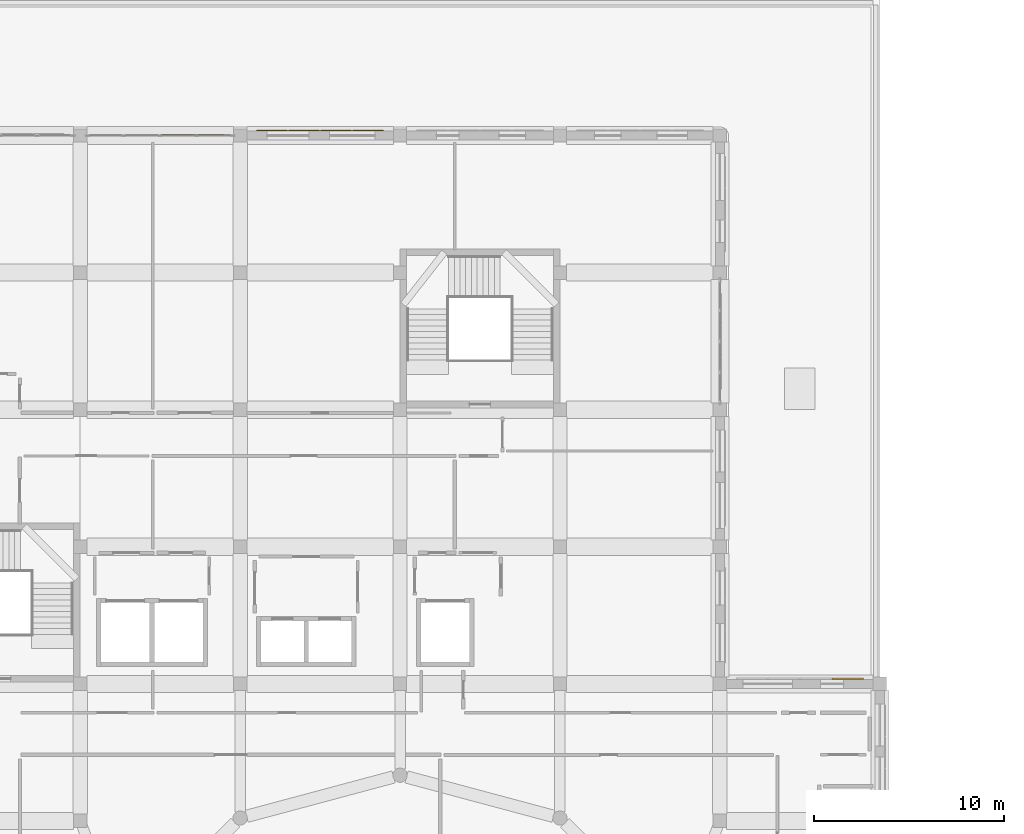
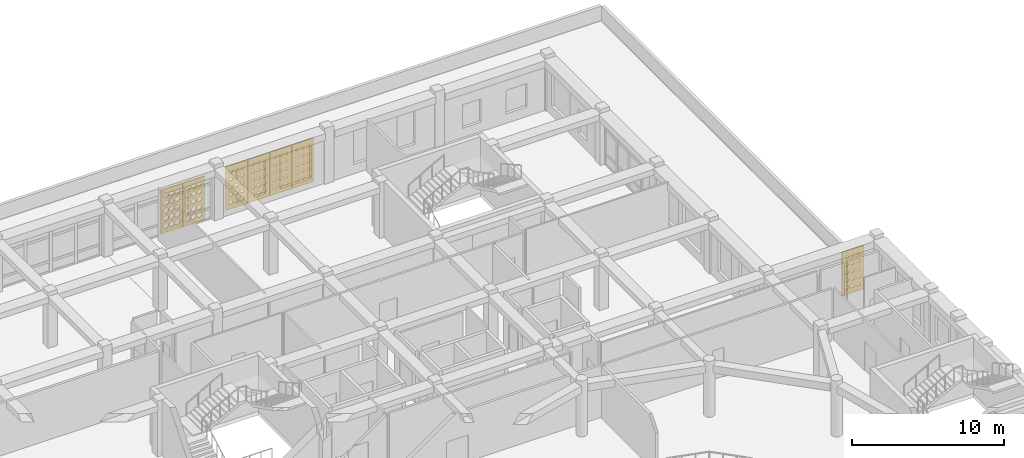
# One storey, part 95 of 100: 7 coverings.
"""IFC4 building model written with IfcOpenShell, lengths in metres."""

from ifc_helpers import new_model, si_unit, derived_unit, direction, frame, origin, place, context, subcontext, project, spatial, polyline, outline, extrude, material, layer, layer_set, type_object, element, save


model = new_model("IFC4")

# Units and contexts
model_context = context("Model", 3, precision=1e-05, world=origin(), true_north=direction((0.0, 1.0)))
body_context = subcontext(model_context, "Body", "Model", "MODEL_VIEW")
ifc_project = project(units=[si_unit("LENGTHUNIT", "METRE"), si_unit("AREAUNIT", "SQUARE_METRE"), si_unit("VOLUMEUNIT", "CUBIC_METRE"), si_unit("PLANEANGLEUNIT", "RADIAN"), si_unit("MASSUNIT", "GRAM", prefix="KILO"), derived_unit("THERMALTRANSMITTANCEUNIT", [(si_unit("POWERUNIT", "WATT"), 1), (si_unit("LENGTHUNIT", "METRE"), -2), (si_unit("THERMODYNAMICTEMPERATUREUNIT", "KELVIN"), -1)])], contexts=[model_context])

# Site, building, storey
site_placement = place(None, origin())
site = spatial("IfcSite", under=ifc_project, at=site_placement, CompositionType="ELEMENT")
building_placement = place(site_placement, origin())
building = spatial("IfcBuilding", under=site, at=building_placement, Name="Veybourne Emporium", CompositionType="ELEMENT")
storey_placement = place(building_placement, frame((0.0, 0.0, 14.39990234375)))
storey = spatial("IfcBuildingStorey", under=building, at=storey_placement, Name="L03", CompositionType="ELEMENT", Elevation=14.39990234375)

# Coverings
ifc_material = material(Name="Warm-White Perforated Aluminium Screen Alloy", Category="aluminium")
ifc_layer_1 = layer(ifc_material, 0.06005859375)
ifc_layer_set_1 = layer_set([ifc_layer_1], Name="Warm-White Perforated Aluminium Screen Alloy")
covering_type_1 = type_object("IfcCoveringType", Name="WaveScreen_SCR-01", PredefinedType="CLADDING", material=ifc_layer_set_1)
covering_1_placement = place(storey_placement, frame((72.239990234375, 101.09814453125, 1.815185546875), z_axis=(0.0, -1.0, 0.0), x_axis=(1.0, 0.0, 0.0)))
element("IfcCovering", 1, at=covering_1_placement, inside=storey, type_object=covering_type_1, Name="L03 wave-perforated aluminium screen SCR-01 (38.3)", PredefinedType="CLADDING", context=body_context, shape_type="SweptSolid", body=[
    extrude(outline(polyline([(-0.81982421875, -1.7548828125), (0.81982421875, -1.7548828125), (0.81982421875, 1.7548828125), (-0.81982421875, 1.7548828125), (-0.81982421875, -1.7548828125)]), holes=[polyline([(-0.433349609375, -1.092041015625), (-0.312255859375, -1.17919921875), (-0.312255859375, -1.27685546875), (-0.433349609375, -1.364013671875), (-0.554443359375, -1.27685546875), (-0.554443359375, -1.17919921875), (-0.433349609375, -1.092041015625)]), polyline([(-0.433349609375, -0.487548828125), (-0.31982421875, -0.568603515625), (-0.31982421875, -0.659423828125), (-0.433349609375, -0.740478515625), (-0.546875, -0.659423828125), (-0.546875, -0.568603515625), (-0.433349609375, -0.487548828125)]), polyline([(-0.433349609375, 0.118896484375), (-0.325927734375, 0.042724609375), (-0.325927734375, -0.042724609375), (-0.433349609375, -0.118896484375), (-0.540771484375, -0.042724609375), (-0.540771484375, 0.042724609375), (-0.433349609375, 0.118896484375)]), polyline([(-0.433349609375, 0.727783203125), (-0.330322265625, 0.65478515625), (-0.330322265625, 0.572998046875), (-0.433349609375, 0.500244140625), (-0.536376953125, 0.572998046875), (-0.536376953125, 0.65478515625), (-0.433349609375, 0.727783203125)]), polyline([(-0.433349609375, 1.338623046875), (-0.332763671875, 1.267822265625), (-0.332763671875, 1.188232421875), (-0.433349609375, 1.1171875), (-0.533935546875, 1.188232421875), (-0.533935546875, 1.267822265625), (-0.433349609375, 1.338623046875)]), polyline([(0.0, -1.0966796875), (0.117431640625, -1.1806640625), (0.117431640625, -1.275390625), (0.0, -1.359375), (-0.117431640625, -1.275390625), (-0.117431640625, -1.1806640625), (0.0, -1.0966796875)]), polyline([(0.0, -0.4912109375), (0.110595703125, -0.56982421875), (0.110595703125, -0.658203125), (0.0, -0.73681640625), (-0.110595703125, -0.658203125), (-0.110595703125, -0.56982421875), (0.0, -0.4912109375)]), polyline([(0.0, 0.1162109375), (0.10498046875, 0.0419921875), (0.10498046875, -0.0419921875), (0.0, -0.1162109375), (-0.10498046875, -0.0419921875), (-0.10498046875, 0.0419921875), (0.0, 0.1162109375)]), polyline([(0.0, 0.72607421875), (0.1015625, 0.654296875), (0.1015625, 0.57373046875), (0.0, 0.501953125), (-0.1015625, 0.57373046875), (-0.1015625, 0.654296875), (0.0, 0.72607421875)]), polyline([(0.0, 1.338134765625), (0.10009765625, 1.267578125), (0.10009765625, 1.1884765625), (0.0, 1.117919921875), (-0.10009765625, 1.1884765625), (-0.10009765625, 1.267578125), (0.0, 1.338134765625)]), polyline([(0.433349609375, -1.1005859375), (0.54736328125, -1.18212890625), (0.54736328125, -1.273681640625), (0.433349609375, -1.355224609375), (0.319091796875, -1.273681640625), (0.319091796875, -1.18212890625), (0.433349609375, -1.1005859375)]), polyline([(0.433349609375, -0.494384765625), (0.541259765625, -0.571044921875), (0.541259765625, -0.656982421875), (0.433349609375, -0.733642578125), (0.325439453125, -0.656982421875), (0.325439453125, -0.571044921875), (0.433349609375, -0.494384765625)]), polyline([(0.433349609375, 0.114013671875), (0.53662109375, 0.041015625), (0.53662109375, -0.041015625), (0.433349609375, -0.114013671875), (0.330078125, -0.041015625), (0.330078125, 0.041015625), (0.433349609375, 0.114013671875)]), polyline([(0.433349609375, 0.724853515625), (0.533935546875, 0.65380859375), (0.533935546875, 0.57421875), (0.433349609375, 0.503173828125), (0.33251953125, 0.57421875), (0.33251953125, 0.65380859375), (0.433349609375, 0.724853515625)]), polyline([(0.433349609375, 1.337890625), (0.533447265625, 1.267578125), (0.533447265625, 1.1884765625), (0.433349609375, 1.117919921875), (0.333251953125, 1.1884765625), (0.333251953125, 1.267578125), (0.433349609375, 1.337890625)])]), origin(), (0.0, 0.0, 1.0), 0.06005859375),
])
ifc_layer_2 = layer(ifc_material, 0.06005859375)
ifc_layer_set_2 = layer_set([ifc_layer_2], Name="Warm-White Perforated Aluminium Screen Alloy")
covering_type_2 = type_object("IfcCoveringType", Name="WaveScreen_SCR-02", PredefinedType="CLADDING", material=ifc_layer_set_2)
covering_2_placement = place(storey_placement, frame((73.919921875, 101.09814453125, 1.815185546875), z_axis=(0.0, -1.0, 0.0), x_axis=(1.0, 0.0, 0.0)))
element("IfcCovering", 2, at=covering_2_placement, inside=storey, type_object=covering_type_2, Name="L03 wave-perforated aluminium screen SCR-02 (38.4)", PredefinedType="CLADDING", context=body_context, shape_type="SweptSolid", body=[
    extrude(outline(polyline([(-0.81982421875, -1.7548828125), (0.81982421875, -1.7548828125), (0.81982421875, 1.7548828125), (-0.81982421875, 1.7548828125), (-0.81982421875, -1.7548828125)]), holes=[polyline([(-0.433349609375, -1.107421875), (-0.32470703125, -1.1845703125), (-0.32470703125, -1.271484375), (-0.433349609375, -1.3486328125), (-0.5419921875, -1.271484375), (-0.5419921875, -1.1845703125), (-0.433349609375, -1.107421875)]), polyline([(-0.433349609375, -0.499267578125), (-0.32958984375, -0.57275390625), (-0.32958984375, -0.6552734375), (-0.433349609375, -0.728759765625), (-0.537109375, -0.6552734375), (-0.537109375, -0.57275390625), (-0.433349609375, -0.499267578125)]), polyline([(-0.433349609375, 0.111083984375), (-0.33251953125, 0.0400390625), (-0.33251953125, -0.0400390625), (-0.433349609375, -0.111083984375), (-0.5341796875, -0.0400390625), (-0.5341796875, 0.0400390625), (-0.433349609375, 0.111083984375)]), polyline([(-0.433349609375, 0.72412109375), (-0.333251953125, 0.653564453125), (-0.333251953125, 0.574462890625), (-0.433349609375, 0.50390625), (-0.533203125, 0.574462890625), (-0.533203125, 0.653564453125), (-0.433349609375, 0.72412109375)]), polyline([(-0.433349609375, 1.33935546875), (-0.332275390625, 1.26806640625), (-0.332275390625, 1.18798828125), (-0.433349609375, 1.11669921875), (-0.534423828125, 1.18798828125), (-0.534423828125, 1.26806640625), (-0.433349609375, 1.33935546875)]), polyline([(0.0, -1.1103515625), (0.106201171875, -1.185546875), (0.106201171875, -1.2705078125), (0.0, -1.345703125), (-0.106201171875, -1.2705078125), (-0.106201171875, -1.185546875), (0.0, -1.1103515625)]), polyline([(0.0, -0.501220703125), (0.102294921875, -0.573486328125), (0.102294921875, -0.654541015625), (0.0, -0.726806640625), (-0.102294921875, -0.654541015625), (-0.102294921875, -0.573486328125), (0.0, -0.501220703125)]), polyline([(0.0, 0.1103515625), (0.100341796875, 0.039794921875), (0.100341796875, -0.039794921875), (0.0, -0.1103515625), (-0.100341796875, -0.039794921875), (-0.100341796875, 0.039794921875), (0.0, 0.1103515625)]), polyline([(0.0, 0.724365234375), (0.10009765625, 0.65380859375), (0.10009765625, 0.57421875), (0.0, 0.503662109375), (-0.10009765625, 0.57421875), (-0.10009765625, 0.65380859375), (0.0, 0.724365234375)]), polyline([(0.0, 1.340576171875), (0.102294921875, 1.2685546875), (0.102294921875, 1.1875), (0.0, 1.115478515625), (-0.102294921875, 1.1875), (-0.102294921875, 1.2685546875), (0.0, 1.340576171875)]), polyline([(0.433349609375, -1.11279296875), (0.53759765625, -1.1865234375), (0.53759765625, -1.26953125), (0.433349609375, -1.34326171875), (0.3291015625, -1.26953125), (0.3291015625, -1.1865234375), (0.433349609375, -1.11279296875)]), polyline([(0.433349609375, -0.502685546875), (0.534423828125, -0.573974609375), (0.534423828125, -0.654052734375), (0.433349609375, -0.725341796875), (0.332275390625, -0.654052734375), (0.332275390625, -0.573974609375), (0.433349609375, -0.502685546875)]), polyline([(0.433349609375, 0.110107421875), (0.533203125, 0.03955078125), (0.533203125, -0.03955078125), (0.433349609375, -0.110107421875), (0.333251953125, -0.03955078125), (0.333251953125, 0.03955078125), (0.433349609375, 0.110107421875)]), polyline([(0.433349609375, 0.72509765625), (0.5341796875, 0.654052734375), (0.5341796875, 0.573974609375), (0.433349609375, 0.5029296875), (0.33251953125, 0.573974609375), (0.33251953125, 0.654052734375), (0.433349609375, 0.72509765625)]), polyline([(0.433349609375, 1.342529296875), (0.537109375, 1.269287109375), (0.537109375, 1.186767578125), (0.433349609375, 1.113525390625), (0.32958984375, 1.186767578125), (0.32958984375, 1.269287109375), (0.433349609375, 1.342529296875)])]), origin(), (0.0, 0.0, 1.0), 0.06005859375),
])
ifc_layer_3 = layer(ifc_material, 0.06005859375)
ifc_layer_set_3 = layer_set([ifc_layer_3], Name="Warm-White Perforated Aluminium Screen Alloy")
covering_type_3 = type_object("IfcCoveringType", Name="WaveScreen_SCR-03", PredefinedType="CLADDING", material=ifc_layer_set_3)
covering_3_placement = place(storey_placement, frame((63.840087890625, 100.89306640625, 1.815185546875), z_axis=(0.0, -1.0, 0.0), x_axis=(1.0, 0.0, 0.0)))
element("IfcCovering", 3, at=covering_3_placement, inside=storey, type_object=covering_type_3, Name="L03 wave-perforated aluminium screen SCR-03 (36C.3)", PredefinedType="CLADDING", context=body_context, shape_type="SweptSolid", body=[
    extrude(outline(polyline([(-0.81982421875, -1.7548828125), (0.81982421875, -1.7548828125), (0.81982421875, 1.7548828125), (-0.81982421875, 1.7548828125), (-0.81982421875, -1.7548828125)]), holes=[polyline([(-0.433349609375, -0.976806640625), (-0.2470703125, -1.137451171875), (-0.2470703125, -1.318603515625), (-0.433349609375, -1.479248046875), (-0.61962890625, -1.318603515625), (-0.61962890625, -1.137451171875), (-0.433349609375, -0.976806640625)]), polyline([(-0.433349609375, -0.37353515625), (-0.2470703125, -0.52734375), (-0.2470703125, -0.70068359375), (-0.433349609375, -0.8544921875), (-0.61962890625, -0.70068359375), (-0.61962890625, -0.52734375), (-0.433349609375, -0.37353515625)]), polyline([(-0.433349609375, 0.228271484375), (-0.2470703125, 0.082275390625), (-0.2470703125, -0.082275390625), (-0.433349609375, -0.228271484375), (-0.61962890625, -0.082275390625), (-0.61962890625, 0.082275390625), (-0.433349609375, 0.228271484375)]), polyline([(-0.433349609375, 0.8291015625), (-0.247314453125, 0.69140625), (-0.247314453125, 0.53662109375), (-0.433349609375, 0.39892578125), (-0.619384765625, 0.53662109375), (-0.619384765625, 0.69140625), (-0.433349609375, 0.8291015625)]), polyline([(-0.433349609375, 1.42919921875), (-0.2587890625, 1.30029296875), (-0.2587890625, 1.155517578125), (-0.433349609375, 1.02685546875), (-0.60791015625, 1.155517578125), (-0.60791015625, 1.30029296875), (-0.433349609375, 1.42919921875)]), polyline([(0.0, -0.9814453125), (0.186279296875, -1.13916015625), (0.186279296875, -1.31689453125), (0.0, -1.474609375), (-0.186279296875, -1.31689453125), (-0.186279296875, -1.13916015625), (0.0, -0.9814453125)]), polyline([(0.0, -0.37890625), (0.186279296875, -0.529296875), (0.186279296875, -0.698486328125), (0.0, -0.84912109375), (-0.186279296875, -0.698486328125), (-0.186279296875, -0.529296875), (0.0, -0.37890625)]), polyline([(0.0, 0.222412109375), (0.186279296875, 0.080078125), (0.186279296875, -0.080078125), (0.0, -0.222412109375), (-0.186279296875, -0.080078125), (-0.186279296875, 0.080078125), (0.0, 0.222412109375)]), polyline([(0.0, 0.82275390625), (0.180908203125, 0.689208984375), (0.180908203125, 0.538818359375), (0.0, 0.4052734375), (-0.180908203125, 0.538818359375), (-0.180908203125, 0.689208984375), (0.0, 0.82275390625)]), polyline([(0.0, 1.422607421875), (0.169189453125, 1.298095703125), (0.169189453125, 1.157958984375), (0.0, 1.033203125), (-0.169189453125, 1.157958984375), (-0.169189453125, 1.298095703125), (0.0, 1.422607421875)]), polyline([(0.433349609375, -0.986572265625), (0.61962890625, -1.14111328125), (0.61962890625, -1.31494140625), (0.433349609375, -1.469482421875), (0.2470703125, -1.31494140625), (0.2470703125, -1.14111328125), (0.433349609375, -0.986572265625)]), polyline([(0.433349609375, -0.384521484375), (0.61962890625, -0.531494140625), (0.61962890625, -0.696533203125), (0.433349609375, -0.843505859375), (0.2470703125, -0.696533203125), (0.2470703125, -0.531494140625), (0.433349609375, -0.384521484375)]), polyline([(0.433349609375, 0.21630859375), (0.61962890625, 0.077880859375), (0.61962890625, -0.077880859375), (0.433349609375, -0.21630859375), (0.2470703125, -0.077880859375), (0.2470703125, 0.077880859375), (0.433349609375, 0.21630859375)]), polyline([(0.433349609375, 0.81640625), (0.60888671875, 0.68701171875), (0.60888671875, 0.541015625), (0.433349609375, 0.41162109375), (0.2578125, 0.541015625), (0.2578125, 0.68701171875), (0.433349609375, 0.81640625)]), polyline([(0.433349609375, 1.416259765625), (0.597412109375, 1.2958984375), (0.597412109375, 1.16015625), (0.433349609375, 1.039794921875), (0.269287109375, 1.16015625), (0.269287109375, 1.2958984375), (0.433349609375, 1.416259765625)])]), origin(), (0.0, 0.0, 1.0), 0.06005859375),
])
covering_4_placement = place(storey_placement, frame((68.8798828125, 101.09814453125, 1.815185546875), z_axis=(0.0, -1.0, 0.0), x_axis=(1.0, 0.0, 0.0)))
element("IfcCovering", 4, at=covering_4_placement, inside=storey, type_object=covering_type_3, Name="L03 wave-perforated aluminium screen SCR-03 (38.1)", PredefinedType="CLADDING", context=body_context, shape_type="SweptSolid", body=[
    extrude(outline(polyline([(-0.81982421875, -1.7548828125), (0.81982421875, -1.7548828125), (0.81982421875, 1.7548828125), (-0.81982421875, 1.7548828125), (-0.81982421875, -1.7548828125)]), holes=[polyline([(-0.433349609375, -1.0478515625), (-0.27587890625, -1.1630859375), (-0.27587890625, -1.292724609375), (-0.433349609375, -1.408203125), (-0.590576171875, -1.292724609375), (-0.590576171875, -1.1630859375), (-0.433349609375, -1.0478515625)]), polyline([(-0.433349609375, -0.44775390625), (-0.287353515625, -0.55419921875), (-0.287353515625, -0.673828125), (-0.433349609375, -0.7802734375), (-0.579345703125, -0.673828125), (-0.579345703125, -0.55419921875), (-0.433349609375, -0.44775390625)]), polyline([(-0.433349609375, 0.1533203125), (-0.2978515625, 0.05517578125), (-0.2978515625, -0.05517578125), (-0.433349609375, -0.1533203125), (-0.568603515625, -0.05517578125), (-0.568603515625, 0.05517578125), (-0.433349609375, 0.1533203125)]), polyline([(-0.433349609375, 0.75537109375), (-0.3076171875, 0.664794921875), (-0.3076171875, 0.56298828125), (-0.433349609375, 0.47265625), (-0.55908203125, 0.56298828125), (-0.55908203125, 0.664794921875), (-0.433349609375, 0.75537109375)]), polyline([(-0.433349609375, 1.359130859375), (-0.316162109375, 1.275146484375), (-0.316162109375, 1.180908203125), (-0.433349609375, 1.096923828125), (-0.550537109375, 1.180908203125), (-0.550537109375, 1.275146484375), (-0.433349609375, 1.359130859375)]), polyline([(0.0, -1.05419921875), (0.152099609375, -1.16552734375), (0.152099609375, -1.29052734375), (0.0, -1.401611328125), (-0.152099609375, -1.29052734375), (-0.152099609375, -1.16552734375), (0.0, -1.05419921875)]), polyline([(0.0, -0.45361328125), (0.14111328125, -0.556396484375), (0.14111328125, -0.671630859375), (0.0, -0.7744140625), (-0.14111328125, -0.671630859375), (-0.14111328125, -0.556396484375), (0.0, -0.45361328125)]), polyline([(0.0, 0.147705078125), (0.130859375, 0.05322265625), (0.130859375, -0.05322265625), (0.0, -0.147705078125), (-0.130859375, -0.05322265625), (-0.130859375, 0.05322265625), (0.0, 0.147705078125)]), polyline([(0.0, 0.75048828125), (0.12158203125, 0.6630859375), (0.12158203125, 0.564697265625), (0.0, 0.477294921875), (-0.12158203125, 0.564697265625), (-0.12158203125, 0.6630859375), (0.0, 0.75048828125)]), polyline([(0.0, 1.35498046875), (0.114013671875, 1.273681640625), (0.114013671875, 1.182373046875), (0.0, 1.10107421875), (-0.114013671875, 1.182373046875), (-0.114013671875, 1.273681640625), (0.0, 1.35498046875)]), polyline([(0.433349609375, -1.060546875), (0.580322265625, -1.167724609375), (0.580322265625, -1.288330078125), (0.433349609375, -1.3955078125), (0.286376953125, -1.288330078125), (0.286376953125, -1.167724609375), (0.433349609375, -1.060546875)]), polyline([(0.433349609375, -0.459716796875), (0.569580078125, -0.558349609375), (0.569580078125, -0.669677734375), (0.433349609375, -0.768310546875), (0.297119140625, -0.669677734375), (0.297119140625, -0.558349609375), (0.433349609375, -0.459716796875)]), polyline([(0.433349609375, 0.142578125), (0.559814453125, 0.05126953125), (0.559814453125, -0.05126953125), (0.433349609375, -0.142578125), (0.306884765625, -0.05126953125), (0.306884765625, 0.05126953125), (0.433349609375, 0.142578125)]), polyline([(0.433349609375, 0.74609375), (0.55126953125, 0.66162109375), (0.55126953125, 0.56640625), (0.433349609375, 0.48193359375), (0.315185546875, 0.56640625), (0.315185546875, 0.66162109375), (0.433349609375, 0.74609375)]), polyline([(0.433349609375, 1.351318359375), (0.544189453125, 1.2724609375), (0.544189453125, 1.18359375), (0.433349609375, 1.104736328125), (0.322509765625, 1.18359375), (0.322509765625, 1.2724609375), (0.433349609375, 1.351318359375)])]), origin(), (0.0, 0.0, 1.0), 0.06005859375),
])
covering_5_placement = place(storey_placement, frame((99.1201171875, 72.298095703125, 1.815185546875), z_axis=(0.0, -1.0, 0.0), x_axis=(1.0, 0.0, 0.0)))
element("IfcCovering", 5, at=covering_5_placement, inside=storey, type_object=covering_type_3, Name="L03 wave-perforated aluminium screen SCR-03 (59.4)", PredefinedType="CLADDING", context=body_context, shape_type="SweptSolid", body=[
    extrude(outline(polyline([(-0.81982421875, -1.7548828125), (0.81982421875, -1.7548828125), (0.81982421875, 1.7548828125), (-0.81982421875, 1.7548828125), (-0.81982421875, -1.7548828125)]), holes=[polyline([(-0.433349609375, -1.068359375), (-0.292724609375, -1.170654296875), (-0.292724609375, -1.285400390625), (-0.433349609375, -1.3876953125), (-0.573974609375, -1.285400390625), (-0.573974609375, -1.170654296875), (-0.433349609375, -1.068359375)]), polyline([(-0.433349609375, -0.466796875), (-0.302978515625, -0.56103515625), (-0.302978515625, -0.6669921875), (-0.433349609375, -0.760986328125), (-0.563720703125, -0.6669921875), (-0.563720703125, -0.56103515625), (-0.433349609375, -0.466796875)]), polyline([(-0.433349609375, 0.135986328125), (-0.31201171875, 0.049072265625), (-0.31201171875, -0.049072265625), (-0.433349609375, -0.135986328125), (-0.5546875, -0.049072265625), (-0.5546875, 0.049072265625), (-0.433349609375, 0.135986328125)]), polyline([(-0.433349609375, 0.740478515625), (-0.31982421875, 0.65966796875), (-0.31982421875, 0.568359375), (-0.433349609375, 0.487548828125), (-0.546875, 0.568359375), (-0.546875, 0.65966796875), (-0.433349609375, 0.740478515625)]), polyline([(-0.433349609375, 1.346923828125), (-0.325927734375, 1.27099609375), (-0.325927734375, 1.18505859375), (-0.433349609375, 1.10888671875), (-0.540771484375, 1.18505859375), (-0.540771484375, 1.27099609375), (-0.433349609375, 1.346923828125)]), polyline([(0.0, -1.07421875), (0.1357421875, -1.172607421875), (0.1357421875, -1.283447265625), (0.0, -1.3818359375), (-0.1357421875, -1.283447265625), (-0.1357421875, -1.172607421875), (0.0, -1.07421875)]), polyline([(0.0, -0.47216796875), (0.126220703125, -0.56298828125), (0.126220703125, -0.6650390625), (0.0, -0.755859375), (-0.126220703125, -0.6650390625), (-0.126220703125, -0.56298828125), (0.0, -0.47216796875)]), polyline([(0.0, 0.131591796875), (0.11767578125, 0.04736328125), (0.11767578125, -0.04736328125), (0.0, -0.131591796875), (-0.11767578125, -0.04736328125), (-0.11767578125, 0.04736328125), (0.0, 0.131591796875)]), polyline([(0.0, 0.73681640625), (0.110595703125, 0.658203125), (0.110595703125, 0.56982421875), (0.0, 0.4912109375), (-0.110595703125, 0.56982421875), (-0.110595703125, 0.658203125), (0.0, 0.73681640625)]), polyline([(0.0, 1.34423828125), (0.105224609375, 1.27001953125), (0.105224609375, 1.18603515625), (0.0, 1.11181640625), (-0.105224609375, 1.18603515625), (-0.105224609375, 1.27001953125), (0.0, 1.34423828125)]), polyline([(0.433349609375, -1.079833984375), (0.564697265625, -1.174560546875), (0.564697265625, -1.281494140625), (0.433349609375, -1.376220703125), (0.302001953125, -1.281494140625), (0.302001953125, -1.174560546875), (0.433349609375, -1.079833984375)]), polyline([(0.433349609375, -0.47705078125), (0.555419921875, -0.564697265625), (0.555419921875, -0.663330078125), (0.433349609375, -0.7509765625), (0.311279296875, -0.663330078125), (0.311279296875, -0.564697265625), (0.433349609375, -0.47705078125)]), polyline([(0.433349609375, 0.127197265625), (0.547607421875, 0.0458984375), (0.547607421875, -0.0458984375), (0.433349609375, -0.127197265625), (0.319091796875, -0.0458984375), (0.319091796875, 0.0458984375), (0.433349609375, 0.127197265625)]), polyline([(0.433349609375, 0.733642578125), (0.541259765625, 0.656982421875), (0.541259765625, 0.57080078125), (0.433349609375, 0.494384765625), (0.325439453125, 0.57080078125), (0.325439453125, 0.656982421875), (0.433349609375, 0.733642578125)]), polyline([(0.433349609375, 1.342041015625), (0.53662109375, 1.26904296875), (0.53662109375, 1.18701171875), (0.433349609375, 1.114013671875), (0.330078125, 1.18701171875), (0.330078125, 1.26904296875), (0.433349609375, 1.342041015625)])]), origin(), (0.0, 0.0, 1.0), 0.06005859375),
])
ifc_layer_4 = layer(ifc_material, 0.06005859375)
ifc_layer_set_4 = layer_set([ifc_layer_4], Name="Warm-White Perforated Aluminium Screen Alloy")
covering_type_4 = type_object("IfcCoveringType", Name="WaveScreen_SCR-04", PredefinedType="CLADDING", material=ifc_layer_set_4)
covering_6_placement = place(storey_placement, frame((65.52001953125, 100.89306640625, 1.815185546875), z_axis=(0.0, -1.0, 0.0), x_axis=(1.0, 0.0, 0.0)))
element("IfcCovering", 6, at=covering_6_placement, inside=storey, type_object=covering_type_4, Name="L03 wave-perforated aluminium screen SCR-04 (36C.4)", PredefinedType="CLADDING", context=body_context, shape_type="SweptSolid", body=[
    extrude(outline(polyline([(-0.81982421875, -1.7548828125), (0.81982421875, -1.7548828125), (0.81982421875, 1.7548828125), (-0.81982421875, 1.7548828125), (-0.81982421875, -1.7548828125)]), holes=[polyline([(-0.433349609375, -0.99658203125), (-0.2470703125, -1.144775390625), (-0.2470703125, -1.311279296875), (-0.433349609375, -1.459228515625), (-0.61962890625, -1.311279296875), (-0.61962890625, -1.144775390625), (-0.433349609375, -0.99658203125)]), polyline([(-0.433349609375, -0.395751953125), (-0.2470703125, -0.535400390625), (-0.2470703125, -0.692626953125), (-0.433349609375, -0.832275390625), (-0.61962890625, -0.692626953125), (-0.61962890625, -0.535400390625), (-0.433349609375, -0.395751953125)]), polyline([(-0.433349609375, 0.20458984375), (-0.256103515625, 0.073486328125), (-0.256103515625, -0.073486328125), (-0.433349609375, -0.20458984375), (-0.610595703125, -0.073486328125), (-0.610595703125, 0.073486328125), (-0.433349609375, 0.20458984375)]), polyline([(-0.433349609375, 0.804443359375), (-0.267578125, 0.6826171875), (-0.267578125, 0.54541015625), (-0.433349609375, 0.423583984375), (-0.59912109375, 0.54541015625), (-0.59912109375, 0.6826171875), (-0.433349609375, 0.804443359375)]), polyline([(-0.433349609375, 1.404296875), (-0.279052734375, 1.29150390625), (-0.279052734375, 1.16455078125), (-0.433349609375, 1.0517578125), (-0.587646484375, 1.16455078125), (-0.587646484375, 1.29150390625), (-0.433349609375, 1.404296875)]), polyline([(0.0, -1.00244140625), (0.186279296875, -1.146728515625), (0.186279296875, -1.30908203125), (0.0, -1.45361328125), (-0.186279296875, -1.30908203125), (-0.186279296875, -1.146728515625), (0.0, -1.00244140625)]), polyline([(0.0, -0.40185546875), (0.18359375, -0.53759765625), (0.18359375, -0.6904296875), (0.0, -0.826171875), (-0.18359375, -0.6904296875), (-0.18359375, -0.53759765625), (0.0, -0.40185546875)]), polyline([(0.0, 0.197998046875), (0.172119140625, 0.0712890625), (0.172119140625, -0.0712890625), (0.0, -0.197998046875), (-0.172119140625, -0.0712890625), (-0.172119140625, 0.0712890625), (0.0, 0.197998046875)]), polyline([(0.0, 0.798095703125), (0.160400390625, 0.68017578125), (0.160400390625, 0.5478515625), (0.0, 0.429931640625), (-0.160400390625, 0.5478515625), (-0.160400390625, 0.68017578125), (0.0, 0.798095703125)]), polyline([(0.0, 1.398193359375), (0.149169921875, 1.289306640625), (0.149169921875, 1.166748046875), (0.0, 1.057861328125), (-0.149169921875, 1.166748046875), (-0.149169921875, 1.289306640625), (0.0, 1.398193359375)]), polyline([(0.433349609375, -1.00830078125), (0.61962890625, -1.14892578125), (0.61962890625, -1.306884765625), (0.433349609375, -1.447509765625), (0.2470703125, -1.306884765625), (0.2470703125, -1.14892578125), (0.433349609375, -1.00830078125)]), polyline([(0.433349609375, -0.408203125), (0.61181640625, -0.539794921875), (0.61181640625, -0.68798828125), (0.433349609375, -0.81982421875), (0.2548828125, -0.68798828125), (0.2548828125, -0.539794921875), (0.433349609375, -0.408203125)]), polyline([(0.433349609375, 0.191650390625), (0.60009765625, 0.069091796875), (0.60009765625, -0.069091796875), (0.433349609375, -0.191650390625), (0.2666015625, -0.069091796875), (0.2666015625, 0.069091796875), (0.433349609375, 0.191650390625)]), polyline([(0.433349609375, 0.79150390625), (0.588623046875, 0.677978515625), (0.588623046875, 0.550048828125), (0.433349609375, 0.436279296875), (0.278076171875, 0.550048828125), (0.278076171875, 0.677978515625), (0.433349609375, 0.79150390625)]), polyline([(0.433349609375, 1.391845703125), (0.577392578125, 1.287109375), (0.577392578125, 1.1689453125), (0.433349609375, 1.064208984375), (0.289306640625, 1.1689453125), (0.289306640625, 1.287109375), (0.433349609375, 1.391845703125)])]), origin(), (0.0, 0.0, 1.0), 0.06005859375),
])
covering_7_placement = place(storey_placement, frame((70.56005859375, 101.09814453125, 1.815185546875), z_axis=(0.0, -1.0, 0.0), x_axis=(1.0, 0.0, 0.0)))
element("IfcCovering", 7, at=covering_7_placement, inside=storey, type_object=covering_type_4, Name="L03 wave-perforated aluminium screen SCR-04 (38.2)", PredefinedType="CLADDING", context=body_context, shape_type="SweptSolid", body=[
    extrude(outline(polyline([(-0.81982421875, -1.7548828125), (0.81982421875, -1.7548828125), (0.81982421875, 1.7548828125), (-0.81982421875, 1.7548828125), (-0.81982421875, -1.7548828125)]), holes=[polyline([(-0.433349609375, -1.07177734375), (-0.29541015625, -1.171630859375), (-0.29541015625, -1.2841796875), (-0.433349609375, -1.38427734375), (-0.5712890625, -1.2841796875), (-0.5712890625, -1.171630859375), (-0.433349609375, -1.07177734375)]), polyline([(-0.433349609375, -0.4697265625), (-0.305419921875, -0.56201171875), (-0.305419921875, -0.666015625), (-0.433349609375, -0.75830078125), (-0.561279296875, -0.666015625), (-0.561279296875, -0.56201171875), (-0.433349609375, -0.4697265625)]), polyline([(-0.433349609375, 0.13330078125), (-0.314208984375, 0.048095703125), (-0.314208984375, -0.048095703125), (-0.433349609375, -0.13330078125), (-0.552490234375, -0.048095703125), (-0.552490234375, 0.048095703125), (-0.433349609375, 0.13330078125)]), polyline([(-0.433349609375, 0.738525390625), (-0.321533203125, 0.65869140625), (-0.321533203125, 0.569091796875), (-0.433349609375, 0.489501953125), (-0.545166015625, 0.569091796875), (-0.545166015625, 0.65869140625), (-0.433349609375, 0.738525390625)]), polyline([(-0.433349609375, 1.345458984375), (-0.3271484375, 1.270263671875), (-0.3271484375, 1.185791015625), (-0.433349609375, 1.110595703125), (-0.53955078125, 1.185791015625), (-0.53955078125, 1.270263671875), (-0.433349609375, 1.345458984375)]), polyline([(0.0, -1.077392578125), (0.13330078125, -1.173828125), (0.13330078125, -1.2822265625), (0.0, -1.378662109375), (-0.13330078125, -1.2822265625), (-0.13330078125, -1.173828125), (0.0, -1.077392578125)]), polyline([(0.0, -0.474853515625), (0.123779296875, -0.56396484375), (0.123779296875, -0.6640625), (0.0, -0.753173828125), (-0.123779296875, -0.6640625), (-0.123779296875, -0.56396484375), (0.0, -0.474853515625)]), polyline([(0.0, 0.129150390625), (0.11572265625, 0.04638671875), (0.11572265625, -0.04638671875), (0.0, -0.129150390625), (-0.11572265625, -0.04638671875), (-0.11572265625, 0.04638671875), (0.0, 0.129150390625)]), polyline([(0.0, 0.735107421875), (0.10888671875, 0.65771484375), (0.10888671875, 0.5703125), (0.0, 0.492919921875), (-0.10888671875, 0.5703125), (-0.10888671875, 0.65771484375), (0.0, 0.735107421875)]), polyline([(0.0, 1.343017578125), (0.10400390625, 1.269287109375), (0.10400390625, 1.1865234375), (0.0, 1.113037109375), (-0.10400390625, 1.1865234375), (-0.10400390625, 1.269287109375), (0.0, 1.343017578125)]), polyline([(0.433349609375, -1.082763671875), (0.562255859375, -1.17578125), (0.562255859375, -1.2802734375), (0.433349609375, -1.373291015625), (0.304443359375, -1.2802734375), (0.304443359375, -1.17578125), (0.433349609375, -1.082763671875)]), polyline([(0.433349609375, -0.4794921875), (0.55322265625, -0.565673828125), (0.55322265625, -0.662353515625), (0.433349609375, -0.748291015625), (0.3134765625, -0.662353515625), (0.3134765625, -0.565673828125), (0.433349609375, -0.4794921875)]), polyline([(0.433349609375, 0.125244140625), (0.5458984375, 0.045166015625), (0.5458984375, -0.045166015625), (0.433349609375, -0.125244140625), (0.32080078125, -0.045166015625), (0.32080078125, 0.045166015625), (0.433349609375, 0.125244140625)]), polyline([(0.433349609375, 0.73193359375), (0.539794921875, 0.656494140625), (0.539794921875, 0.571533203125), (0.433349609375, 0.49609375), (0.326904296875, 0.571533203125), (0.326904296875, 0.656494140625), (0.433349609375, 0.73193359375)]), polyline([(0.433349609375, 1.341064453125), (0.535888671875, 1.268798828125), (0.535888671875, 1.187255859375), (0.433349609375, 1.114990234375), (0.330810546875, 1.187255859375), (0.330810546875, 1.268798828125), (0.433349609375, 1.341064453125)])]), origin(), (0.0, 0.0, 1.0), 0.06005859375),
])

save(model, "model.ifc")
